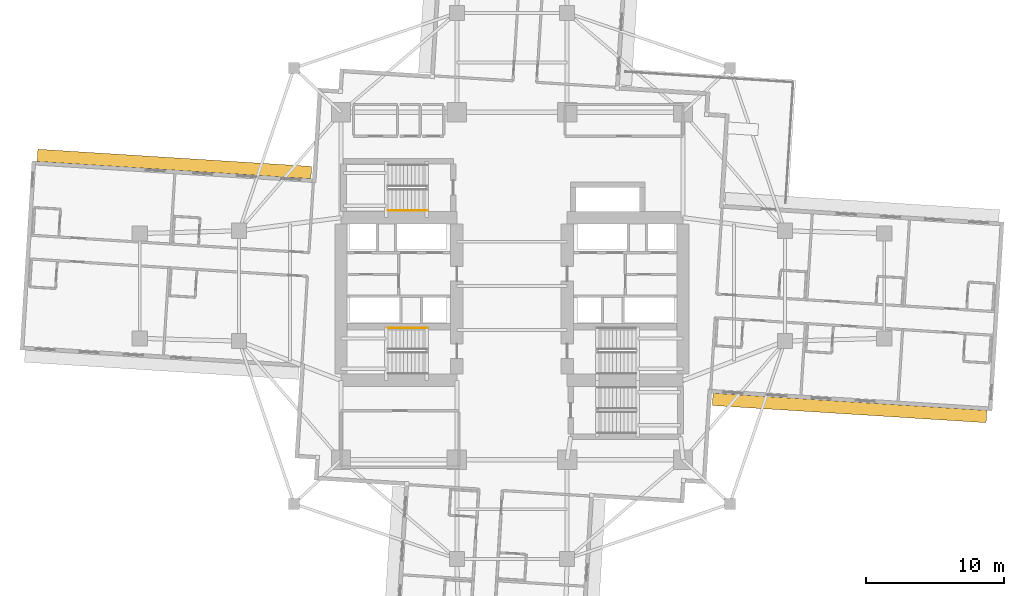
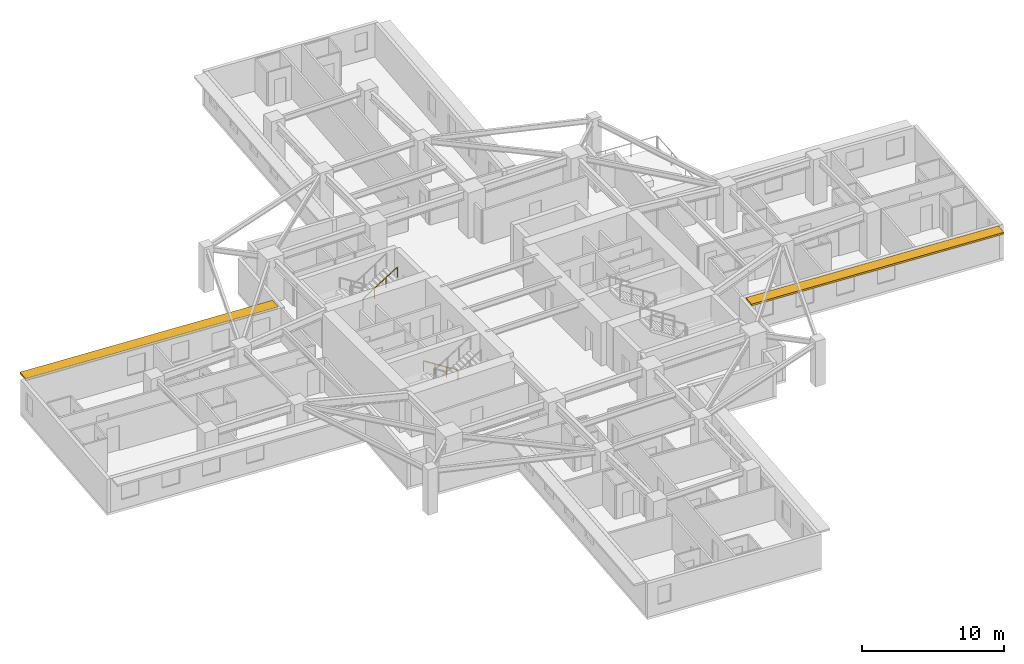
# One storey, part 12 of 14: 2 railings, 2 shading devices.
"""IFC4 building model written with IfcOpenShell, lengths in metres."""

from ifc_helpers import new_model, si_unit, direction, frame, origin, origin_2d, place, context, subcontext, project, spatial, rectangle, circle, extrude, material, layer, layer_set, type_object, element, save


model = new_model("IFC4")

# Units and contexts
model_context = context("Model", 3, precision=1e-05, world=origin(), true_north=direction((0.0, 1.0)))
body_context = subcontext(model_context, "Body", "Model", "MODEL_VIEW")
ifc_project = project(units=[si_unit("LENGTHUNIT", "METRE"), si_unit("AREAUNIT", "SQUARE_METRE"), si_unit("VOLUMEUNIT", "CUBIC_METRE"), si_unit("PLANEANGLEUNIT", "RADIAN"), si_unit("MASSUNIT", "GRAM", prefix="KILO")], contexts=[model_context])

# Site, building, storey
site_placement = place(None, origin())
site = spatial("IfcSite", under=ifc_project, at=site_placement, CompositionType="ELEMENT")
building_placement = place(site_placement, origin())
building = spatial("IfcBuilding", under=site, at=building_placement, Name="Qingluan Cross Belvedere", CompositionType="ELEMENT")
storey_placement = place(building_placement, frame((0.0, 0.0, 79.5)))
storey = spatial("IfcBuildingStorey", under=building, at=storey_placement, Name="L20", CompositionType="ELEMENT", Elevation=79.5)

# Shading devices
ifc_material_1 = material(Name="Precast concrete C45", Category="concrete")
ifc_layer = layer(ifc_material_1, 0.159912109375, Name="ConcreteSunshadeBand_900")
ifc_layer_set = layer_set([ifc_layer], Name="Precast concrete C45")
shading_device_type = type_object("IfcShadingDeviceType", Name="ConcreteSunshadeBand_900", PredefinedType="USERDEFINED", material=ifc_layer_set)
for number, where, z_axis, x_axis, name in (
    (1, (24.48291015625, -8.8447265625, 2.72998046875), (0.0, 0.0, 1.0), (0.998026688207, -0.062791158819, 0.0), "Concrete SUNSHADE L20-EA"),
    (2, (-24.48291015625, 8.8447265625, 2.72998046875), (0.0, 0.0, 1.0), (-0.998026688207, 0.062791158819, 0.0), "Concrete SUNSHADE L20-WA"),
):
    element("IfcShadingDevice", number, at=place(storey_placement, frame(where, z_axis=z_axis, x_axis=x_axis)), inside=storey, type_object=shading_device_type, Name=name, ObjectType="SUNSHADE", PredefinedType="USERDEFINED", context=body_context, shape_type="SweptSolid", body=[
        extrude(rectangle(XDim=19.89990234375, YDim=0.89990234375, at=origin_2d()), origin(), (0.0, 0.0, 1.0), 0.159912109375),
    ])

# Railings
ifc_material_2 = material(Name="Brushed stainless steel tubular handrail", Category="steel")
railing_type = type_object("IfcRailingType", Name="StairPitchHandrail_900", PredefinedType="HANDRAIL", material=ifc_material_2)
railing_1_placement = place(storey_placement, frame((-6.179931640625, -3.050048828125, 0.17724609375)))
element("IfcRailing", 3, at=railing_1_placement, inside=storey, type_object=railing_type, Name="L20 ST1 stair handrail 1", PredefinedType="HANDRAIL", context=body_context, shape_type="SweptSolid", body=[
    extrude(circle(Radius=0.02392578125, at=origin_2d()), frame((0.0, 0.0, 0.8759765625), z_axis=(-0.844908973607, 0.0, 0.534910110503), x_axis=(0.0, -1.0, 0.0)), (0.0, 0.0, 1.0), 3.31396484375),
    extrude(circle(Radius=0.02099609375, at=origin_2d()), origin(), (0.0, 0.0, 1.0), 0.851806640625),
    extrude(circle(Radius=0.02099609375, at=origin_2d()), frame((-0.933349609375, 0.0, 0.5908203125)), (0.0, 0.0, 1.0), 0.851806640625),
    extrude(circle(Radius=0.02099609375, at=origin_2d()), frame((-1.86669921875, 0.0, 1.181884765625)), (0.0, 0.0, 1.0), 0.851806640625),
    extrude(circle(Radius=0.02099609375, at=origin_2d()), frame((-2.800048828125, 0.0, 1.772705078125)), (0.0, 0.0, 1.0), 0.851806640625),
])
railing_2_placement = place(storey_placement, frame((-8.97998046875, 5.469970703125, 2.127197265625)))
element("IfcRailing", 4, at=railing_2_placement, inside=storey, type_object=railing_type, Name="L20 ST3 stair handrail 2", PredefinedType="HANDRAIL", context=body_context, shape_type="SweptSolid", body=[
    extrude(circle(Radius=0.02392578125, at=origin_2d()), frame((0.0, 0.0, 0.8759765625), z_axis=(0.844908973607, 0.0, 0.534910110503), x_axis=(0.0, 1.0, 0.0)), (0.0, 0.0, 1.0), 3.31396484375),
    extrude(circle(Radius=0.02099609375, at=origin_2d()), origin(), (0.0, 0.0, 1.0), 0.851806640625),
    extrude(circle(Radius=0.02099609375, at=origin_2d()), frame((0.933349609375, 0.0, 0.5908203125)), (0.0, 0.0, 1.0), 0.851806640625),
    extrude(circle(Radius=0.02099609375, at=origin_2d()), frame((1.86669921875, 0.0, 1.181884765625)), (0.0, 0.0, 1.0), 0.851806640625),
    extrude(circle(Radius=0.02099609375, at=origin_2d()), frame((2.800048828125, 0.0, 1.772705078125)), (0.0, 0.0, 1.0), 0.851806640625),
])

save(model, "model.ifc")
